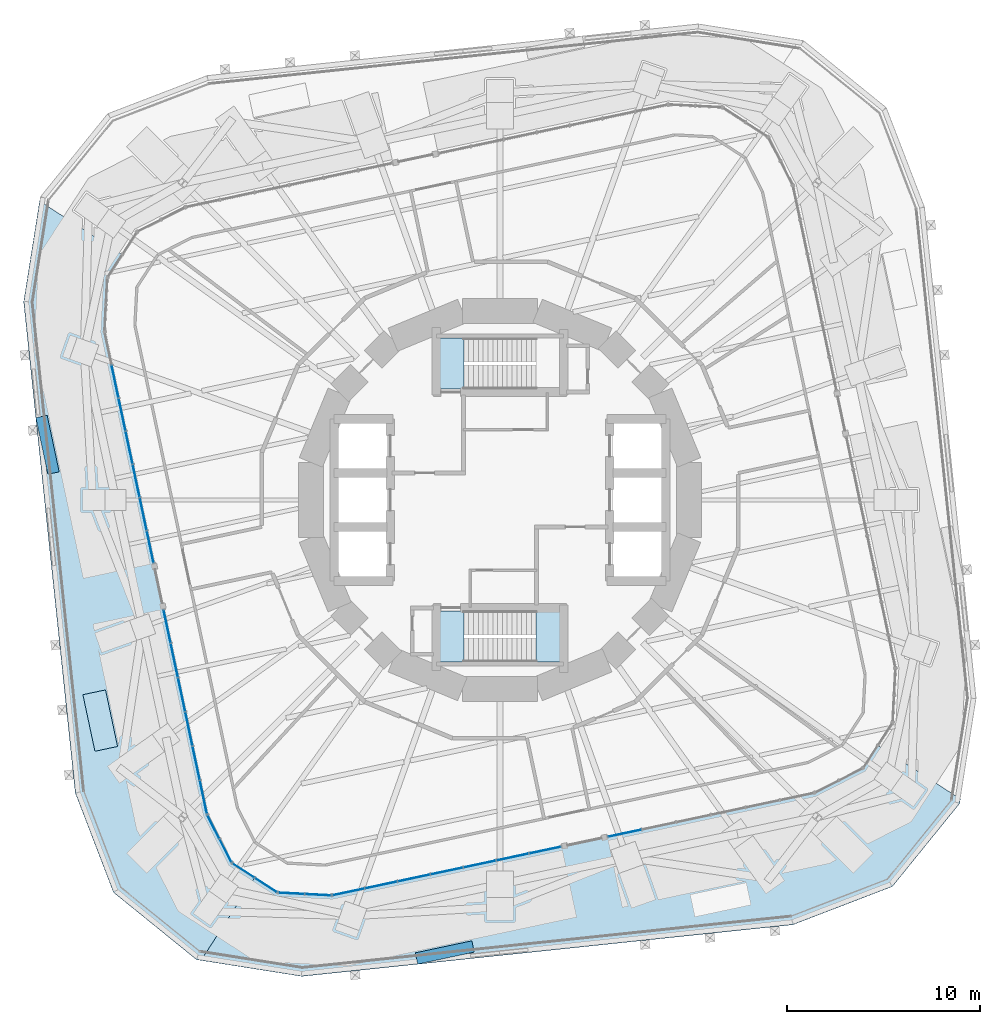
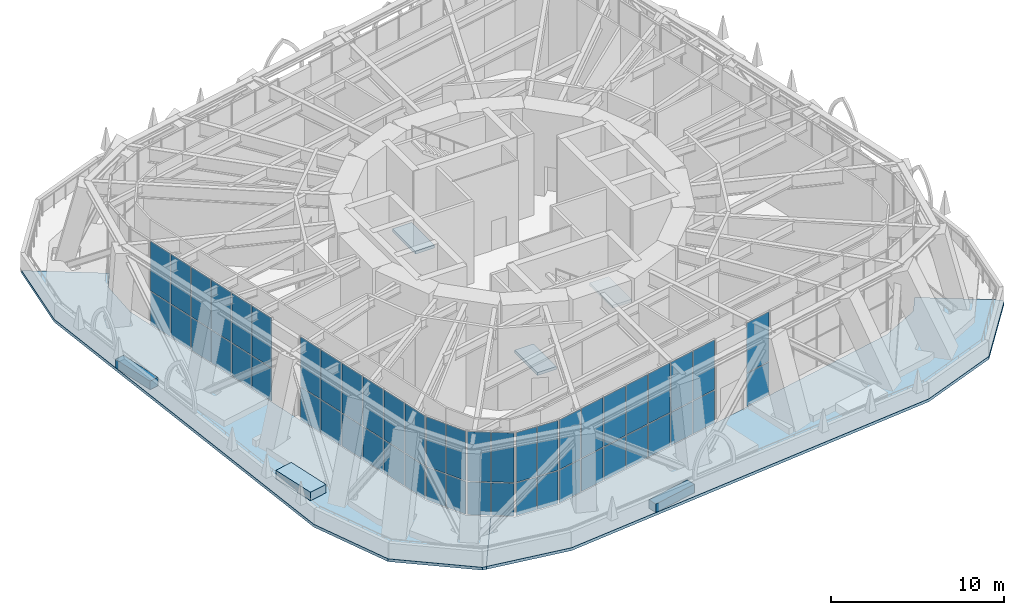
# One storey, part 12 of 23: 55 plates, 5 slabs, 9 elements without a shape of their own.
"""IFC4 building model written with IfcOpenShell, lengths in metres."""

from ifc_helpers import new_model, si_unit, direction, frame, origin, origin_2d, place, context, subcontext, project, spatial, polyline, rectangle, outline, extrude, material, layer, layer_set, type_object, element, aggregate, save


model = new_model("IFC4")

# Units and contexts
model_context = context("Model", 3, precision=1e-05, world=origin(), true_north=direction((0.0, 1.0)))
body_context = subcontext(model_context, "Body", "Model", "MODEL_VIEW")
ifc_project = project(units=[si_unit("LENGTHUNIT", "METRE"), si_unit("AREAUNIT", "SQUARE_METRE"), si_unit("VOLUMEUNIT", "CUBIC_METRE"), si_unit("PLANEANGLEUNIT", "RADIAN"), si_unit("MASSUNIT", "GRAM", prefix="KILO")], contexts=[model_context])

# Site, building, storey
site_placement = place(None, origin())
site = spatial("IfcSite", under=ifc_project, at=site_placement, CompositionType="ELEMENT")
building_placement = place(site_placement, origin())
building = spatial("IfcBuilding", under=site, at=building_placement, Name="Nakasero Lantern House", CompositionType="ELEMENT")
storey_placement = place(building_placement, frame((0.0, 0.0, 95.14990234375)))
storey = spatial("IfcBuildingStorey", under=building, at=storey_placement, Name="L23", CompositionType="ELEMENT", Elevation=95.14990234375)

# Curtain wall, plates
ifc_material_1 = material(Name="Aluminium 6063-T6 and glass", Category="aluminium")
curtain_wall_type = type_object("IfcCurtainWallType", Name="Sky lounge glazing CW-3", PredefinedType="USERDEFINED", material=ifc_material_1)
curtain_wall_1_placement = place(storey_placement, origin())
curtain_wall_1 = element("IfcCurtainWall", 1, at=curtain_wall_1_placement, inside=storey, type_object=curtain_wall_type, Name="Curtain wall CW-3 L23", ObjectType="STICK CURTAIN WALL", PredefinedType="USERDEFINED")
ifc_material_2 = material(Name="Glass", Category="glass")
ifc_layer_1 = layer(ifc_material_2, 0.028076171875)
ifc_layer_set_1 = layer_set([ifc_layer_1], Name="Glazed panel CW-3")
plate_type_1 = type_object("IfcPlateType", Name="Glazed panel CW-3", PredefinedType="CURTAIN_PANEL", material=ifc_layer_set_1)
plate_1_placement = place(storey_placement, frame((-19.23388671875, 2.710205078125, 0.06005859375), z_axis=(0.0, 0.0, 1.0), x_axis=(0.207911690818, -0.978147600734, 0.0)))
plate_1 = element("IfcPlate", 2, at=plate_1_placement, type_object=plate_type_1, Name="CW-3 panel 4.1", PredefinedType="CURTAIN_PANEL", context=body_context, shape_type="SweptSolid", body=[
    extrude(rectangle(XDim=1.697021484375, YDim=0.028076171875, at=origin_2d()), origin(), (0.0, 0.0, 1.0), 2.31005859375),
])
plate_2_placement = place(storey_placement, frame((-19.23388671875, 2.710205078125, 2.43017578125), z_axis=(0.0, 0.0, 1.0), x_axis=(0.207911690818, -0.978147600734, 0.0)))
plate_2 = element("IfcPlate", 3, at=plate_2_placement, type_object=plate_type_1, Name="CW-3 panel 4.2", PredefinedType="CURTAIN_PANEL", context=body_context, shape_type="SweptSolid", body=[
    extrude(rectangle(XDim=1.697021484375, YDim=0.028076171875, at=origin_2d()), origin(), (0.0, 0.0, 1.0), 3.510009765625),
])
plate_3_placement = place(storey_placement, frame((-18.140869140625, -2.43115234375, 0.06005859375), z_axis=(0.0, 0.0, 1.0), x_axis=(0.207911690818, -0.978147600734, 0.0)))
plate_3 = element("IfcPlate", 4, at=plate_3_placement, type_object=plate_type_1, Name="CW-3 panel 7.1", PredefinedType="CURTAIN_PANEL", context=body_context, shape_type="SweptSolid", body=[
    extrude(rectangle(XDim=1.667236328125, YDim=0.028076171875, at=origin_2d()), origin(), (0.0, 0.0, 1.0), 2.31005859375),
])
plate_4_placement = place(storey_placement, frame((-18.140869140625, -2.43115234375, 2.43017578125), z_axis=(0.0, 0.0, 1.0), x_axis=(0.207911690818, -0.978147600734, 0.0)))
plate_4 = element("IfcPlate", 5, at=plate_4_placement, type_object=plate_type_1, Name="CW-3 panel 7.2", PredefinedType="CURTAIN_PANEL", context=body_context, shape_type="SweptSolid", body=[
    extrude(rectangle(XDim=1.667236328125, YDim=0.028076171875, at=origin_2d()), origin(), (0.0, 0.0, 1.0), 3.510009765625),
])

curtain_wall_2_placement = place(storey_placement, origin())
curtain_wall_2 = element("IfcCurtainWall", 6, at=curtain_wall_2_placement, inside=storey, type_object=curtain_wall_type, Name="Curtain wall CW-3 L23", ObjectType="STICK CURTAIN WALL", PredefinedType="USERDEFINED")
plate_5_placement = place(storey_placement, frame((-16.8896484375, -8.318359375, 0.06005859375), z_axis=(0.0, 0.0, 1.0), x_axis=(0.207911690818, -0.978147600734, 0.0)))
plate_5 = element("IfcPlate", 7, at=plate_5_placement, type_object=plate_type_1, Name="CW-3 panel 2.1", PredefinedType="CURTAIN_PANEL", context=body_context, shape_type="SweptSolid", body=[
    extrude(rectangle(XDim=1.756591796875, YDim=0.028076171875, at=origin_2d()), origin(), (0.0, 0.0, 1.0), 2.31005859375),
])
plate_6_placement = place(storey_placement, frame((-16.8896484375, -8.318359375, 2.43017578125), z_axis=(0.0, 0.0, 1.0), x_axis=(0.207911690818, -0.978147600734, 0.0)))
plate_6 = element("IfcPlate", 8, at=plate_6_placement, type_object=plate_type_1, Name="CW-3 panel 2.2", PredefinedType="CURTAIN_PANEL", context=body_context, shape_type="SweptSolid", body=[
    extrude(rectangle(XDim=1.756591796875, YDim=0.028076171875, at=origin_2d()), origin(), (0.0, 0.0, 1.0), 3.510009765625),
])
plate_7_placement = place(storey_placement, frame((-16.511962890625, -10.09521484375, 0.06005859375), z_axis=(0.0, 0.0, 1.0), x_axis=(0.207911690818, -0.978147600734, 0.0)))
plate_7 = element("IfcPlate", 9, at=plate_7_placement, type_object=plate_type_1, Name="CW-3 panel 3.1", PredefinedType="CURTAIN_PANEL", context=body_context, shape_type="SweptSolid", body=[
    extrude(rectangle(XDim=1.756591796875, YDim=0.028076171875, at=origin_2d()), origin(), (0.0, 0.0, 1.0), 2.31005859375),
])
plate_8_placement = place(storey_placement, frame((-16.511962890625, -10.09521484375, 2.43017578125), z_axis=(0.0, 0.0, 1.0), x_axis=(0.207911690818, -0.978147600734, 0.0)))
plate_8 = element("IfcPlate", 10, at=plate_8_placement, type_object=plate_type_1, Name="CW-3 panel 3.2", PredefinedType="CURTAIN_PANEL", context=body_context, shape_type="SweptSolid", body=[
    extrude(rectangle(XDim=1.756591796875, YDim=0.028076171875, at=origin_2d()), origin(), (0.0, 0.0, 1.0), 3.510009765625),
])
plate_9_placement = place(storey_placement, frame((-15.756591796875, -13.649169921875, 0.06005859375), z_axis=(0.0, 0.0, 1.0), x_axis=(0.207911690818, -0.978147600734, 0.0)))
plate_9 = element("IfcPlate", 11, at=plate_9_placement, type_object=plate_type_1, Name="CW-3 panel 5.1", PredefinedType="CURTAIN_PANEL", context=body_context, shape_type="SweptSolid", body=[
    extrude(rectangle(XDim=1.756591796875, YDim=0.028076171875, at=origin_2d()), origin(), (0.0, 0.0, 1.0), 2.31005859375),
])
plate_10_placement = place(storey_placement, frame((-15.756591796875, -13.649169921875, 2.43017578125), z_axis=(0.0, 0.0, 1.0), x_axis=(0.207911690818, -0.978147600734, 0.0)))
plate_10 = element("IfcPlate", 12, at=plate_10_placement, type_object=plate_type_1, Name="CW-3 panel 5.2", PredefinedType="CURTAIN_PANEL", context=body_context, shape_type="SweptSolid", body=[
    extrude(rectangle(XDim=1.756591796875, YDim=0.028076171875, at=origin_2d()), origin(), (0.0, 0.0, 1.0), 3.510009765625),
])

curtain_wall_3_placement = place(storey_placement, origin())
curtain_wall_3 = element("IfcCurtainWall", 13, at=curtain_wall_3_placement, inside=storey, type_object=curtain_wall_type, Name="Curtain wall CW-3 L23", ObjectType="STICK CURTAIN WALL", PredefinedType="USERDEFINED")
plate_11_placement = place(storey_placement, frame((-2.75927734375, -19.244140625, 0.06005859375), z_axis=(0.0, 0.0, 1.0), x_axis=(0.978147600734, 0.207911690818, 0.0)))
plate_11 = element("IfcPlate", 14, at=plate_11_placement, type_object=plate_type_1, Name="CW-3 panel 4.1", PredefinedType="CURTAIN_PANEL", context=body_context, shape_type="SweptSolid", body=[
    extrude(rectangle(XDim=1.682861328125, YDim=0.028076171875, at=origin_2d()), origin(), (0.0, 0.0, 1.0), 2.31005859375),
])
plate_12_placement = place(storey_placement, frame((-2.75927734375, -19.244140625, 2.43017578125), z_axis=(0.0, 0.0, 1.0), x_axis=(0.978147600734, 0.207911690818, 0.0)))
plate_12 = element("IfcPlate", 15, at=plate_12_placement, type_object=plate_type_1, Name="CW-3 panel 4.2", PredefinedType="CURTAIN_PANEL", context=body_context, shape_type="SweptSolid", body=[
    extrude(rectangle(XDim=1.682861328125, YDim=0.028076171875, at=origin_2d()), origin(), (0.0, 0.0, 1.0), 3.510009765625),
])
plate_13_placement = place(storey_placement, frame((2.34033203125, -18.16015625, 0.06005859375), z_axis=(0.0, 0.0, 1.0), x_axis=(0.978147600734, 0.207911690818, 0.0)))
plate_13 = element("IfcPlate", 16, at=plate_13_placement, type_object=plate_type_1, Name="CW-3 panel 7.1", PredefinedType="CURTAIN_PANEL", context=body_context, shape_type="SweptSolid", body=[
    extrude(rectangle(XDim=1.65283203125, YDim=0.028076171875, at=origin_2d()), origin(), (0.0, 0.0, 1.0), 2.31005859375),
])
plate_14_placement = place(storey_placement, frame((2.34033203125, -18.16015625, 2.43017578125), z_axis=(0.0, 0.0, 1.0), x_axis=(0.978147600734, 0.207911690818, 0.0)))
plate_14 = element("IfcPlate", 17, at=plate_14_placement, type_object=plate_type_1, Name="CW-3 panel 7.2", PredefinedType="CURTAIN_PANEL", context=body_context, shape_type="SweptSolid", body=[
    extrude(rectangle(XDim=1.65283203125, YDim=0.028076171875, at=origin_2d()), origin(), (0.0, 0.0, 1.0), 3.510009765625),
])

# Plate
ifc_material_3 = material(Name="Aluminium 6063-T6 and insulation", Category="aluminium")
ifc_layer_2 = layer(ifc_material_3, 0.028076171875)
ifc_layer_set_2 = layer_set([ifc_layer_2], Name="Insulated panel CW-3")
plate_type_2 = type_object("IfcPlateType", Name="Insulated panel CW-3", PredefinedType="CURTAIN_PANEL", material=ifc_layer_set_2)
plate_15_placement = place(storey_placement, frame((-19.96435546875, 6.147705078125, 0.06005859375), z_axis=(0.0, 0.0, 1.0), x_axis=(0.207911690818, -0.978147600734, 0.0)))
plate_15 = element("IfcPlate", 18, at=plate_15_placement, type_object=plate_type_2, Name="CW-3 panel 2.1", PredefinedType="CURTAIN_PANEL", context=body_context, shape_type="SweptSolid", body=[
    extrude(rectangle(XDim=1.697021484375, YDim=0.028076171875, at=origin_2d()), origin(), (0.0, 0.0, 1.0), 2.31005859375),
])

plate_16_placement = place(storey_placement, frame((-19.96435546875, 6.147705078125, 2.43017578125), z_axis=(0.0, 0.0, 1.0), x_axis=(0.207911690818, -0.978147600734, 0.0)))
plate_16 = element("IfcPlate", 19, at=plate_16_placement, type_object=plate_type_2, Name="CW-3 panel 2.2", PredefinedType="CURTAIN_PANEL", context=body_context, shape_type="SweptSolid", body=[
    extrude(rectangle(XDim=1.697021484375, YDim=0.028076171875, at=origin_2d()), origin(), (0.0, 0.0, 1.0), 3.510009765625),
])

plate_17_placement = place(storey_placement, frame((-19.59912109375, 4.428955078125, 0.06005859375), z_axis=(0.0, 0.0, 1.0), x_axis=(0.207911690818, -0.978147600734, 0.0)))
plate_17 = element("IfcPlate", 20, at=plate_17_placement, type_object=plate_type_2, Name="CW-3 panel 3.1", PredefinedType="CURTAIN_PANEL", context=body_context, shape_type="SweptSolid", body=[
    extrude(rectangle(XDim=1.697021484375, YDim=0.028076171875, at=origin_2d()), origin(), (0.0, 0.0, 1.0), 2.31005859375),
])

plate_18_placement = place(storey_placement, frame((-19.59912109375, 4.428955078125, 2.43017578125), z_axis=(0.0, 0.0, 1.0), x_axis=(0.207911690818, -0.978147600734, 0.0)))
plate_18 = element("IfcPlate", 21, at=plate_18_placement, type_object=plate_type_2, Name="CW-3 panel 3.2", PredefinedType="CURTAIN_PANEL", context=body_context, shape_type="SweptSolid", body=[
    extrude(rectangle(XDim=1.697021484375, YDim=0.028076171875, at=origin_2d()), origin(), (0.0, 0.0, 1.0), 3.510009765625),
])

plate_19_placement = place(storey_placement, frame((-18.868408203125, 0.991455078125, 0.06005859375), z_axis=(0.0, 0.0, 1.0), x_axis=(0.207911690818, -0.978147600734, 0.0)))
plate_19 = element("IfcPlate", 22, at=plate_19_placement, type_object=plate_type_2, Name="CW-3 panel 5.1", PredefinedType="CURTAIN_PANEL", context=body_context, shape_type="SweptSolid", body=[
    extrude(rectangle(XDim=1.697021484375, YDim=0.028076171875, at=origin_2d()), origin(), (0.0, 0.0, 1.0), 2.31005859375),
])

plate_20_placement = place(storey_placement, frame((-18.868408203125, 0.991455078125, 2.43017578125), z_axis=(0.0, 0.0, 1.0), x_axis=(0.207911690818, -0.978147600734, 0.0)))
plate_20 = element("IfcPlate", 23, at=plate_20_placement, type_object=plate_type_2, Name="CW-3 panel 5.2", PredefinedType="CURTAIN_PANEL", context=body_context, shape_type="SweptSolid", body=[
    extrude(rectangle(XDim=1.697021484375, YDim=0.028076171875, at=origin_2d()), origin(), (0.0, 0.0, 1.0), 3.510009765625),
])

plate_21_placement = place(storey_placement, frame((-18.503173828125, -0.727294921875, 0.06005859375), z_axis=(0.0, 0.0, 1.0), x_axis=(0.207911690818, -0.978147600734, 0.0)))
plate_21 = element("IfcPlate", 24, at=plate_21_placement, type_object=plate_type_2, Name="CW-3 panel 6.1", PredefinedType="CURTAIN_PANEL", context=body_context, shape_type="SweptSolid", body=[
    extrude(rectangle(XDim=1.697021484375, YDim=0.028076171875, at=origin_2d()), origin(), (0.0, 0.0, 1.0), 2.31005859375),
])

plate_22_placement = place(storey_placement, frame((-18.503173828125, -0.727294921875, 2.43017578125), z_axis=(0.0, 0.0, 1.0), x_axis=(0.207911690818, -0.978147600734, 0.0)))
plate_22 = element("IfcPlate", 25, at=plate_22_placement, type_object=plate_type_2, Name="CW-3 panel 6.2", PredefinedType="CURTAIN_PANEL", context=body_context, shape_type="SweptSolid", body=[
    extrude(rectangle(XDim=1.697021484375, YDim=0.028076171875, at=origin_2d()), origin(), (0.0, 0.0, 1.0), 3.510009765625),
])

aggregate(curtain_wall_1, [plate_15, plate_16, plate_17, plate_18, plate_1, plate_2, plate_19, plate_20, plate_21, plate_22, plate_3, plate_4])

plate_23_placement = place(storey_placement, frame((-17.26416015625, -6.555908203125, 0.06005859375), z_axis=(0.0, 0.0, 1.0), x_axis=(0.207911690818, -0.978147600734, 0.0)))
plate_23 = element("IfcPlate", 26, at=plate_23_placement, type_object=plate_type_2, Name="CW-3 panel 1.1", PredefinedType="CURTAIN_PANEL", context=body_context, shape_type="SweptSolid", body=[
    extrude(rectangle(XDim=1.7265625, YDim=0.028076171875, at=origin_2d()), origin(), (0.0, 0.0, 1.0), 2.31005859375),
])

plate_24_placement = place(storey_placement, frame((-17.26416015625, -6.555908203125, 2.43017578125), z_axis=(0.0, 0.0, 1.0), x_axis=(0.207911690818, -0.978147600734, 0.0)))
plate_24 = element("IfcPlate", 27, at=plate_24_placement, type_object=plate_type_2, Name="CW-3 panel 1.2", PredefinedType="CURTAIN_PANEL", context=body_context, shape_type="SweptSolid", body=[
    extrude(rectangle(XDim=1.7265625, YDim=0.028076171875, at=origin_2d()), origin(), (0.0, 0.0, 1.0), 3.510009765625),
])

plate_25_placement = place(storey_placement, frame((-16.13427734375, -11.872314453125, 0.06005859375), z_axis=(0.0, 0.0, 1.0), x_axis=(0.207911690818, -0.978147600734, 0.0)))
plate_25 = element("IfcPlate", 28, at=plate_25_placement, type_object=plate_type_2, Name="CW-3 panel 4.1", PredefinedType="CURTAIN_PANEL", context=body_context, shape_type="SweptSolid", body=[
    extrude(rectangle(XDim=1.756591796875, YDim=0.028076171875, at=origin_2d()), origin(), (0.0, 0.0, 1.0), 2.31005859375),
])

plate_26_placement = place(storey_placement, frame((-16.13427734375, -11.872314453125, 2.43017578125), z_axis=(0.0, 0.0, 1.0), x_axis=(0.207911690818, -0.978147600734, 0.0)))
plate_26 = element("IfcPlate", 29, at=plate_26_placement, type_object=plate_type_2, Name="CW-3 panel 4.2", PredefinedType="CURTAIN_PANEL", context=body_context, shape_type="SweptSolid", body=[
    extrude(rectangle(XDim=1.756591796875, YDim=0.028076171875, at=origin_2d()), origin(), (0.0, 0.0, 1.0), 3.510009765625),
])

plate_27_placement = place(storey_placement, frame((-15.3818359375, -15.41162109375, 0.06005859375), z_axis=(0.0, 0.0, 1.0), x_axis=(0.207911690818, -0.978147600734, 0.0)))
plate_27 = element("IfcPlate", 30, at=plate_27_placement, type_object=plate_type_2, Name="CW-3 panel 6.1", PredefinedType="CURTAIN_PANEL", context=body_context, shape_type="SweptSolid", body=[
    extrude(rectangle(XDim=1.7265625, YDim=0.028076171875, at=origin_2d()), origin(), (0.0, 0.0, 1.0), 2.31005859375),
])

plate_28_placement = place(storey_placement, frame((-15.3818359375, -15.41162109375, 2.43017578125), z_axis=(0.0, 0.0, 1.0), x_axis=(0.207911690818, -0.978147600734, 0.0)))
plate_28 = element("IfcPlate", 31, at=plate_28_placement, type_object=plate_type_2, Name="CW-3 panel 6.2", PredefinedType="CURTAIN_PANEL", context=body_context, shape_type="SweptSolid", body=[
    extrude(rectangle(XDim=1.7265625, YDim=0.028076171875, at=origin_2d()), origin(), (0.0, 0.0, 1.0), 3.510009765625),
])

aggregate(curtain_wall_2, [plate_23, plate_24, plate_5, plate_6, plate_7, plate_8, plate_25, plate_26, plate_9, plate_10, plate_27, plate_28])

# Curtain wall, plates
curtain_wall_4_placement = place(storey_placement, origin())
curtain_wall_4 = element("IfcCurtainWall", 32, at=curtain_wall_4_placement, inside=storey, type_object=curtain_wall_type, Name="Curtain wall CW-3 L23", ObjectType="STICK CURTAIN WALL", PredefinedType="USERDEFINED")
plate_29_placement = place(storey_placement, frame((-14.863037109375, -16.95654296875, 0.06005859375), z_axis=(0.0, 0.0, 1.0), x_axis=(0.453990499662, -0.891006524228, 0.0)))
plate_29 = element("IfcPlate", 33, at=plate_29_placement, type_object=plate_type_2, Name="CW-3 panel 1.1", PredefinedType="CURTAIN_PANEL", context=body_context, shape_type="SweptSolid", body=[
    extrude(rectangle(XDim=1.320556640625, YDim=0.028076171875, at=origin_2d()), origin(), (0.0, 0.0, 1.0), 2.31005859375),
])
plate_30_placement = place(storey_placement, frame((-14.863037109375, -16.95654296875, 2.43017578125), z_axis=(0.0, 0.0, 1.0), x_axis=(0.453990499662, -0.891006524228, 0.0)))
plate_30 = element("IfcPlate", 34, at=plate_30_placement, type_object=plate_type_2, Name="CW-3 panel 1.2", PredefinedType="CURTAIN_PANEL", context=body_context, shape_type="SweptSolid", body=[
    extrude(rectangle(XDim=1.320556640625, YDim=0.028076171875, at=origin_2d()), origin(), (0.0, 0.0, 1.0), 3.510009765625),
])
plate_31_placement = place(storey_placement, frame((-14.236083984375, -18.1865234375, 0.06005859375), z_axis=(0.0, 0.0, 1.0), x_axis=(0.453990499662, -0.891006524228, 0.0)))
plate_31 = element("IfcPlate", 35, at=plate_31_placement, type_object=plate_type_2, Name="CW-3 panel 2.1", PredefinedType="CURTAIN_PANEL", context=body_context, shape_type="SweptSolid", body=[
    extrude(rectangle(XDim=1.320556640625, YDim=0.028076171875, at=origin_2d()), origin(), (0.0, 0.0, 1.0), 2.31005859375),
])
plate_32_placement = place(storey_placement, frame((-14.236083984375, -18.1865234375, 2.43017578125), z_axis=(0.0, 0.0, 1.0), x_axis=(0.453990499662, -0.891006524228, 0.0)))
plate_32 = element("IfcPlate", 36, at=plate_32_placement, type_object=plate_type_2, Name="CW-3 panel 2.2", PredefinedType="CURTAIN_PANEL", context=body_context, shape_type="SweptSolid", body=[
    extrude(rectangle(XDim=1.320556640625, YDim=0.028076171875, at=origin_2d()), origin(), (0.0, 0.0, 1.0), 3.510009765625),
])
aggregate(curtain_wall_4, [plate_29, plate_30, plate_31, plate_32])

curtain_wall_5_placement = place(storey_placement, origin())
curtain_wall_5 = element("IfcCurtainWall", 37, at=curtain_wall_5_placement, inside=storey, type_object=curtain_wall_type, Name="Curtain wall CW-3 L23", ObjectType="STICK CURTAIN WALL", PredefinedType="USERDEFINED")
plate_33_placement = place(storey_placement, frame((-13.30517578125, -19.220703125, 0.06005859375), z_axis=(0.0, 0.0, 1.0), x_axis=(0.838670568021, -0.544639034898, 0.0)))
plate_33 = element("IfcPlate", 38, at=plate_33_placement, type_object=plate_type_2, Name="CW-3 panel 1.1", PredefinedType="CURTAIN_PANEL", context=body_context, shape_type="SweptSolid", body=[
    extrude(rectangle(XDim=1.320556640625, YDim=0.028076171875, at=origin_2d()), origin(), (0.0, 0.0, 1.0), 2.31005859375),
])
plate_34_placement = place(storey_placement, frame((-13.30517578125, -19.220703125, 2.43017578125), z_axis=(0.0, 0.0, 1.0), x_axis=(0.838670568021, -0.544639034898, 0.0)))
plate_34 = element("IfcPlate", 39, at=plate_34_placement, type_object=plate_type_2, Name="CW-3 panel 1.2", PredefinedType="CURTAIN_PANEL", context=body_context, shape_type="SweptSolid", body=[
    extrude(rectangle(XDim=1.320556640625, YDim=0.028076171875, at=origin_2d()), origin(), (0.0, 0.0, 1.0), 3.510009765625),
])
plate_35_placement = place(storey_placement, frame((-12.147216796875, -19.972412109375, 0.06005859375), z_axis=(0.0, 0.0, 1.0), x_axis=(0.838670568021, -0.544639034898, 0.0)))
plate_35 = element("IfcPlate", 40, at=plate_35_placement, type_object=plate_type_2, Name="CW-3 panel 2.1", PredefinedType="CURTAIN_PANEL", context=body_context, shape_type="SweptSolid", body=[
    extrude(rectangle(XDim=1.320556640625, YDim=0.028076171875, at=origin_2d()), origin(), (0.0, 0.0, 1.0), 2.31005859375),
])
plate_36_placement = place(storey_placement, frame((-12.147216796875, -19.972412109375, 2.43017578125), z_axis=(0.0, 0.0, 1.0), x_axis=(0.838670568021, -0.544639034898, 0.0)))
plate_36 = element("IfcPlate", 41, at=plate_36_placement, type_object=plate_type_2, Name="CW-3 panel 2.2", PredefinedType="CURTAIN_PANEL", context=body_context, shape_type="SweptSolid", body=[
    extrude(rectangle(XDim=1.320556640625, YDim=0.028076171875, at=origin_2d()), origin(), (0.0, 0.0, 1.0), 3.510009765625),
])
aggregate(curtain_wall_5, [plate_33, plate_34, plate_35, plate_36])

curtain_wall_6_placement = place(storey_placement, origin())
curtain_wall_6 = element("IfcCurtainWall", 42, at=curtain_wall_6_placement, inside=storey, type_object=curtain_wall_type, Name="Curtain wall CW-3 L23", ObjectType="STICK CURTAIN WALL", PredefinedType="USERDEFINED")
plate_37_placement = place(storey_placement, frame((-10.823974609375, -20.402587890625, 0.06005859375), z_axis=(0.0, 0.0, 1.0), x_axis=(0.998629534758, -0.052335956173, 0.0)))
plate_37 = element("IfcPlate", 43, at=plate_37_placement, type_object=plate_type_2, Name="CW-3 panel 1.1", PredefinedType="CURTAIN_PANEL", context=body_context, shape_type="SweptSolid", body=[
    extrude(rectangle(XDim=1.320556640625, YDim=0.028076171875, at=origin_2d()), origin(), (0.0, 0.0, 1.0), 2.31005859375),
])
plate_38_placement = place(storey_placement, frame((-10.823974609375, -20.402587890625, 2.43017578125), z_axis=(0.0, 0.0, 1.0), x_axis=(0.998629534758, -0.052335956173, 0.0)))
plate_38 = element("IfcPlate", 44, at=plate_38_placement, type_object=plate_type_2, Name="CW-3 panel 1.2", PredefinedType="CURTAIN_PANEL", context=body_context, shape_type="SweptSolid", body=[
    extrude(rectangle(XDim=1.320556640625, YDim=0.028076171875, at=origin_2d()), origin(), (0.0, 0.0, 1.0), 3.510009765625),
])
plate_39_placement = place(storey_placement, frame((-9.4453125, -20.474853515625, 0.06005859375), z_axis=(0.0, 0.0, 1.0), x_axis=(0.998629534758, -0.052335956173, 0.0)))
plate_39 = element("IfcPlate", 45, at=plate_39_placement, type_object=plate_type_2, Name="CW-3 panel 2.1", PredefinedType="CURTAIN_PANEL", context=body_context, shape_type="SweptSolid", body=[
    extrude(rectangle(XDim=1.320556640625, YDim=0.028076171875, at=origin_2d()), origin(), (0.0, 0.0, 1.0), 2.31005859375),
])
plate_40_placement = place(storey_placement, frame((-9.4453125, -20.474853515625, 2.43017578125), z_axis=(0.0, 0.0, 1.0), x_axis=(0.998629534758, -0.052335956173, 0.0)))
plate_40 = element("IfcPlate", 46, at=plate_40_placement, type_object=plate_type_2, Name="CW-3 panel 2.2", PredefinedType="CURTAIN_PANEL", context=body_context, shape_type="SweptSolid", body=[
    extrude(rectangle(XDim=1.320556640625, YDim=0.028076171875, at=origin_2d()), origin(), (0.0, 0.0, 1.0), 3.510009765625),
])
aggregate(curtain_wall_6, [plate_37, plate_38, plate_39, plate_40])

# Plate
plate_41_placement = place(storey_placement, frame((-7.85888671875, -20.328125, 0.06005859375), z_axis=(0.0, 0.0, 1.0), x_axis=(0.978147600734, 0.207911690818, 0.0)))
plate_41 = element("IfcPlate", 47, at=plate_41_placement, type_object=plate_type_2, Name="CW-3 panel 1.1", PredefinedType="CURTAIN_PANEL", context=body_context, shape_type="SweptSolid", body=[
    extrude(rectangle(XDim=1.65283203125, YDim=0.028076171875, at=origin_2d()), origin(), (0.0, 0.0, 1.0), 2.31005859375),
])

plate_42_placement = place(storey_placement, frame((-7.85888671875, -20.328125, 2.43017578125), z_axis=(0.0, 0.0, 1.0), x_axis=(0.978147600734, 0.207911690818, 0.0)))
plate_42 = element("IfcPlate", 48, at=plate_42_placement, type_object=plate_type_2, Name="CW-3 panel 1.2", PredefinedType="CURTAIN_PANEL", context=body_context, shape_type="SweptSolid", body=[
    extrude(rectangle(XDim=1.65283203125, YDim=0.028076171875, at=origin_2d()), origin(), (0.0, 0.0, 1.0), 3.510009765625),
])

plate_43_placement = place(storey_placement, frame((-6.168701171875, -19.968994140625, 0.06005859375), z_axis=(0.0, 0.0, 1.0), x_axis=(0.978147600734, 0.207911690818, 0.0)))
plate_43 = element("IfcPlate", 49, at=plate_43_placement, type_object=plate_type_2, Name="CW-3 panel 2.1", PredefinedType="CURTAIN_PANEL", context=body_context, shape_type="SweptSolid", body=[
    extrude(rectangle(XDim=1.682861328125, YDim=0.028076171875, at=origin_2d()), origin(), (0.0, 0.0, 1.0), 2.31005859375),
])

plate_44_placement = place(storey_placement, frame((-6.168701171875, -19.968994140625, 2.43017578125), z_axis=(0.0, 0.0, 1.0), x_axis=(0.978147600734, 0.207911690818, 0.0)))
plate_44 = element("IfcPlate", 50, at=plate_44_placement, type_object=plate_type_2, Name="CW-3 panel 2.2", PredefinedType="CURTAIN_PANEL", context=body_context, shape_type="SweptSolid", body=[
    extrude(rectangle(XDim=1.682861328125, YDim=0.028076171875, at=origin_2d()), origin(), (0.0, 0.0, 1.0), 3.510009765625),
])

plate_45_placement = place(storey_placement, frame((-4.4638671875, -19.6064453125, 0.06005859375), z_axis=(0.0, 0.0, 1.0), x_axis=(0.978147600734, 0.207911690818, 0.0)))
plate_45 = element("IfcPlate", 51, at=plate_45_placement, type_object=plate_type_2, Name="CW-3 panel 3.1", PredefinedType="CURTAIN_PANEL", context=body_context, shape_type="SweptSolid", body=[
    extrude(rectangle(XDim=1.682861328125, YDim=0.028076171875, at=origin_2d()), origin(), (0.0, 0.0, 1.0), 2.31005859375),
])

plate_46_placement = place(storey_placement, frame((-4.4638671875, -19.6064453125, 2.43017578125), z_axis=(0.0, 0.0, 1.0), x_axis=(0.978147600734, 0.207911690818, 0.0)))
plate_46 = element("IfcPlate", 52, at=plate_46_placement, type_object=plate_type_2, Name="CW-3 panel 3.2", PredefinedType="CURTAIN_PANEL", context=body_context, shape_type="SweptSolid", body=[
    extrude(rectangle(XDim=1.682861328125, YDim=0.028076171875, at=origin_2d()), origin(), (0.0, 0.0, 1.0), 3.510009765625),
])

plate_47_placement = place(storey_placement, frame((-1.054443359375, -18.8818359375, 0.06005859375), z_axis=(0.0, 0.0, 1.0), x_axis=(0.978147600734, 0.207911690818, 0.0)))
plate_47 = element("IfcPlate", 53, at=plate_47_placement, type_object=plate_type_2, Name="CW-3 panel 5.1", PredefinedType="CURTAIN_PANEL", context=body_context, shape_type="SweptSolid", body=[
    extrude(rectangle(XDim=1.682861328125, YDim=0.028076171875, at=origin_2d()), origin(), (0.0, 0.0, 1.0), 2.31005859375),
])

plate_48_placement = place(storey_placement, frame((-1.054443359375, -18.8818359375, 2.43017578125), z_axis=(0.0, 0.0, 1.0), x_axis=(0.978147600734, 0.207911690818, 0.0)))
plate_48 = element("IfcPlate", 54, at=plate_48_placement, type_object=plate_type_2, Name="CW-3 panel 5.2", PredefinedType="CURTAIN_PANEL", context=body_context, shape_type="SweptSolid", body=[
    extrude(rectangle(XDim=1.682861328125, YDim=0.028076171875, at=origin_2d()), origin(), (0.0, 0.0, 1.0), 3.510009765625),
])

plate_49_placement = place(storey_placement, frame((0.650390625, -18.51953125, 0.06005859375), z_axis=(0.0, 0.0, 1.0), x_axis=(0.978147600734, 0.207911690818, 0.0)))
plate_49 = element("IfcPlate", 55, at=plate_49_placement, type_object=plate_type_2, Name="CW-3 panel 6.1", PredefinedType="CURTAIN_PANEL", context=body_context, shape_type="SweptSolid", body=[
    extrude(rectangle(XDim=1.682861328125, YDim=0.028076171875, at=origin_2d()), origin(), (0.0, 0.0, 1.0), 2.31005859375),
])

plate_50_placement = place(storey_placement, frame((0.650390625, -18.51953125, 2.43017578125), z_axis=(0.0, 0.0, 1.0), x_axis=(0.978147600734, 0.207911690818, 0.0)))
plate_50 = element("IfcPlate", 56, at=plate_50_placement, type_object=plate_type_2, Name="CW-3 panel 6.2", PredefinedType="CURTAIN_PANEL", context=body_context, shape_type="SweptSolid", body=[
    extrude(rectangle(XDim=1.682861328125, YDim=0.028076171875, at=origin_2d()), origin(), (0.0, 0.0, 1.0), 3.510009765625),
])

aggregate(curtain_wall_3, [plate_41, plate_42, plate_43, plate_44, plate_45, plate_46, plate_11, plate_12, plate_47, plate_48, plate_49, plate_50, plate_13, plate_14])

# Curtain wall, plates
curtain_wall_7_placement = place(storey_placement, origin())
curtain_wall_7 = element("IfcCurtainWall", 57, at=curtain_wall_7_placement, inside=storey, type_object=curtain_wall_type, Name="Curtain wall CW-3 L23", ObjectType="STICK CURTAIN WALL", PredefinedType="USERDEFINED")
plate_51_placement = place(storey_placement, frame((6.46630859375, -17.283203125, 0.06005859375), z_axis=(0.0, 0.0, 1.0), x_axis=(0.978147600734, 0.207911690818, 0.0)))
plate_51 = element("IfcPlate", 58, at=plate_51_placement, type_object=plate_type_2, Name="CW-3 panel 1.1", PredefinedType="CURTAIN_PANEL", context=body_context, shape_type="SweptSolid", body=[
    extrude(rectangle(XDim=1.743408203125, YDim=0.028076171875, at=origin_2d()), origin(), (0.0, 0.0, 1.0), 2.31005859375),
])
plate_52_placement = place(storey_placement, frame((6.46630859375, -17.283203125, 2.43017578125), z_axis=(0.0, 0.0, 1.0), x_axis=(0.978147600734, 0.207911690818, 0.0)))
plate_52 = element("IfcPlate", 59, at=plate_52_placement, type_object=plate_type_2, Name="CW-3 panel 1.2", PredefinedType="CURTAIN_PANEL", context=body_context, shape_type="SweptSolid", body=[
    extrude(rectangle(XDim=1.743408203125, YDim=0.028076171875, at=origin_2d()), origin(), (0.0, 0.0, 1.0), 3.510009765625),
])
aggregate(curtain_wall_7, [plate_51, plate_52])

# Plates
ifc_material_4 = material(Name="Aluminium 6063-T6", Category="aluminium")
ifc_layer_3 = layer(ifc_material_4, 0.60009765625)
ifc_layer_set_3 = layer_set([ifc_layer_3], Name="Sky garden planter 1200x3000")
plate_type_3 = type_object("IfcPlateType", Name="Sky garden planter 1200x3000", PredefinedType="USERDEFINED", material=ifc_layer_set_3)
plate_53_placement = place(storey_placement, frame((-23.46826171875, 2.86328125, 0.0), z_axis=(0.0, 0.0, 1.0), x_axis=(-0.978147600734, -0.207911690818, 0.0)))
element("IfcPlate", 60, at=plate_53_placement, inside=storey, type_object=plate_type_3, Name="Sky garden PLANTER L23 20", ObjectType="PLANTER", PredefinedType="USERDEFINED", context=body_context, shape_type="SweptSolid", body=[
    extrude(rectangle(XDim=0.60009765625, YDim=3.0, at=origin_2d()), origin(), (0.0, 0.0, 1.0), 0.60009765625),
])
plate_54_placement = place(storey_placement, frame((-20.734375, -11.44091796875, 0.0), z_axis=(0.0, 0.0, 1.0), x_axis=(-0.978147600734, -0.207911690818, 0.0)))
element("IfcPlate", 61, at=plate_54_placement, inside=storey, type_object=plate_type_3, Name="Sky garden PLANTER L23 21", ObjectType="PLANTER", PredefinedType="USERDEFINED", context=body_context, shape_type="SweptSolid", body=[
    extrude(rectangle(XDim=1.19970703125, YDim=3.0, at=origin_2d()), origin(), (0.0, 0.0, 1.0), 0.60009765625),
])
plate_55_placement = place(storey_placement, frame((-2.86328125, -23.46826171875, 0.0), z_axis=(0.0, 0.0, 1.0), x_axis=(0.207911690818, -0.978147600734, 0.0)))
element("IfcPlate", 62, at=plate_55_placement, inside=storey, type_object=plate_type_3, Name="Sky garden PLANTER L23 30", ObjectType="PLANTER", PredefinedType="USERDEFINED", context=body_context, shape_type="SweptSolid", body=[
    extrude(rectangle(XDim=0.60009765625, YDim=3.0, at=origin_2d()), origin(), (0.0, 0.0, 1.0), 0.60009765625),
])

# Slabs
ifc_material_5 = material(Name="Concrete C35/45", Category="concrete")
ifc_layer_4 = layer(ifc_material_5, 0.199951171875)
ifc_layer_set_4 = layer_set([ifc_layer_4], Name="Sky garden terrace slab 200")
slab_type_1 = type_object("IfcSlabType", Name="Sky garden terrace slab 200", PredefinedType="USERDEFINED", material=ifc_layer_set_4)
slab_1_placement = place(storey_placement, frame((0.0, 0.0, -0.199951171875)))
element("IfcSlab", 63, at=slab_1_placement, inside=storey, type_object=slab_type_1, Name="Sky garden terrace L23 W", ObjectType="TERRACE", PredefinedType="USERDEFINED", context=body_context, shape_type="SweptSolid", body=[
    extrude(outline(polyline([(-15.743896484375, -23.8427734375), (-15.508056640625, -23.880126953125), (-12.72607421875, -19.5966796875), (-13.9091796875, -18.828369140625), (-15.18994140625, -16.314697265625), (-20.512451171875, 8.725830078125), (-20.36474609375, 11.543212890625), (-19.5966796875, 12.72607421875), (-23.880126953125, 15.508056640625), (-24.709228515625, 10.2734375), (-22.033203125, -15.186279296875), (-20.04833984375, -20.357177734375), (-15.743896484375, -23.8427734375)])), origin(), (0.0, 0.0, 1.0), 0.199951171875),
])
slab_2_placement = place(storey_placement, frame((0.0, 0.0, -0.199951171875)))
element("IfcSlab", 64, at=slab_2_placement, inside=storey, type_object=slab_type_1, Name="Sky garden terrace L23 S", ObjectType="TERRACE", PredefinedType="USERDEFINED", context=body_context, shape_type="SweptSolid", body=[
    extrude(outline(polyline([(23.8427734375, -15.743896484375), (23.880126953125, -15.508056640625), (19.5966796875, -12.72607421875), (18.828369140625, -13.9091796875), (16.314697265625, -15.18994140625), (-8.725830078125, -20.512451171875), (-11.543212890625, -20.36474609375), (-12.72607421875, -19.5966796875), (-15.508056640625, -23.880126953125), (-10.2734375, -24.709228515625), (15.186279296875, -22.033203125), (20.357177734375, -20.04833984375), (23.8427734375, -15.743896484375)])), origin(), (0.0, 0.0, 1.0), 0.199951171875),
])

# Stair, slab
ifc_material_6 = material(Name="Concrete C40/50", Category="concrete")
stair_type_1 = type_object("IfcStairType", Name="Escape stair ST1 32 risers", PredefinedType="HALF_TURN_STAIR", material=ifc_material_6)
stair_1_placement = place(storey_placement, origin())
stair_1 = element("IfcStair", 65, at=stair_1_placement, inside=storey, type_object=stair_type_1, Name="Escape stair ST1 L23", PredefinedType="HALF_TURN_STAIR")
ifc_material_7 = material(Name="Concrete C40/50", Category="concrete")
ifc_layer_5 = layer(ifc_material_7, 0.199951171875)
ifc_layer_set_5 = layer_set([ifc_layer_5], Name="Stair landing 200")
slab_type_2 = type_object("IfcSlabType", Name="Stair landing 200", PredefinedType="LANDING", material=ifc_layer_set_5)
slab_3_placement = place(storey_placement, frame((0.0, 0.0, -0.199951171875)))
slab_3 = element("IfcSlab", 66, at=slab_3_placement, type_object=slab_type_2, Name="ST1 landing 1", PredefinedType="LANDING", context=body_context, shape_type="SweptSolid", body=[
    extrude(outline(polyline([(-3.14990234375, 5.75), (-1.875, 5.75), (-1.875, 8.39990234375), (-3.14990234375, 8.39990234375), (-3.14990234375, 5.75)])), origin(), (0.0, 0.0, 1.0), 0.199951171875),
])
aggregate(stair_1, [slab_3])

# Stair, slabs
ifc_material_8 = material(Name="Concrete C40/50", Category="concrete")
stair_type_2 = type_object("IfcStairType", Name="Escape stair ST2 32 risers", PredefinedType="HALF_TURN_STAIR", material=ifc_material_8)
stair_2_placement = place(storey_placement, origin())
stair_2 = element("IfcStair", 67, at=stair_2_placement, inside=storey, type_object=stair_type_2, Name="Escape stair ST2 L23", PredefinedType="HALF_TURN_STAIR")
slab_4_placement = place(storey_placement, frame((0.0, 0.0, -0.199951171875)))
slab_4 = element("IfcSlab", 68, at=slab_4_placement, type_object=slab_type_2, Name="ST2 landing 1", PredefinedType="LANDING", context=body_context, shape_type="SweptSolid", body=[
    extrude(outline(polyline([(-3.14990234375, -8.39990234375), (-1.875, -8.39990234375), (-1.875, -5.75), (-3.14990234375, -5.75), (-3.14990234375, -8.39990234375)])), origin(), (0.0, 0.0, 1.0), 0.199951171875),
])
slab_5_placement = place(storey_placement, frame((0.0, 0.0, 2.800048828125)))
slab_5 = element("IfcSlab", 69, at=slab_5_placement, type_object=slab_type_2, Name="ST2 landing 2", PredefinedType="LANDING", context=body_context, shape_type="SweptSolid", body=[
    extrude(outline(polyline([(1.875, -8.39990234375), (3.14990234375, -8.39990234375), (3.14990234375, -5.75), (1.875, -5.75), (1.875, -8.39990234375)])), origin(), (0.0, 0.0, 1.0), 0.199951171875),
])
aggregate(stair_2, [slab_4, slab_5])

save(model, "model.ifc")
